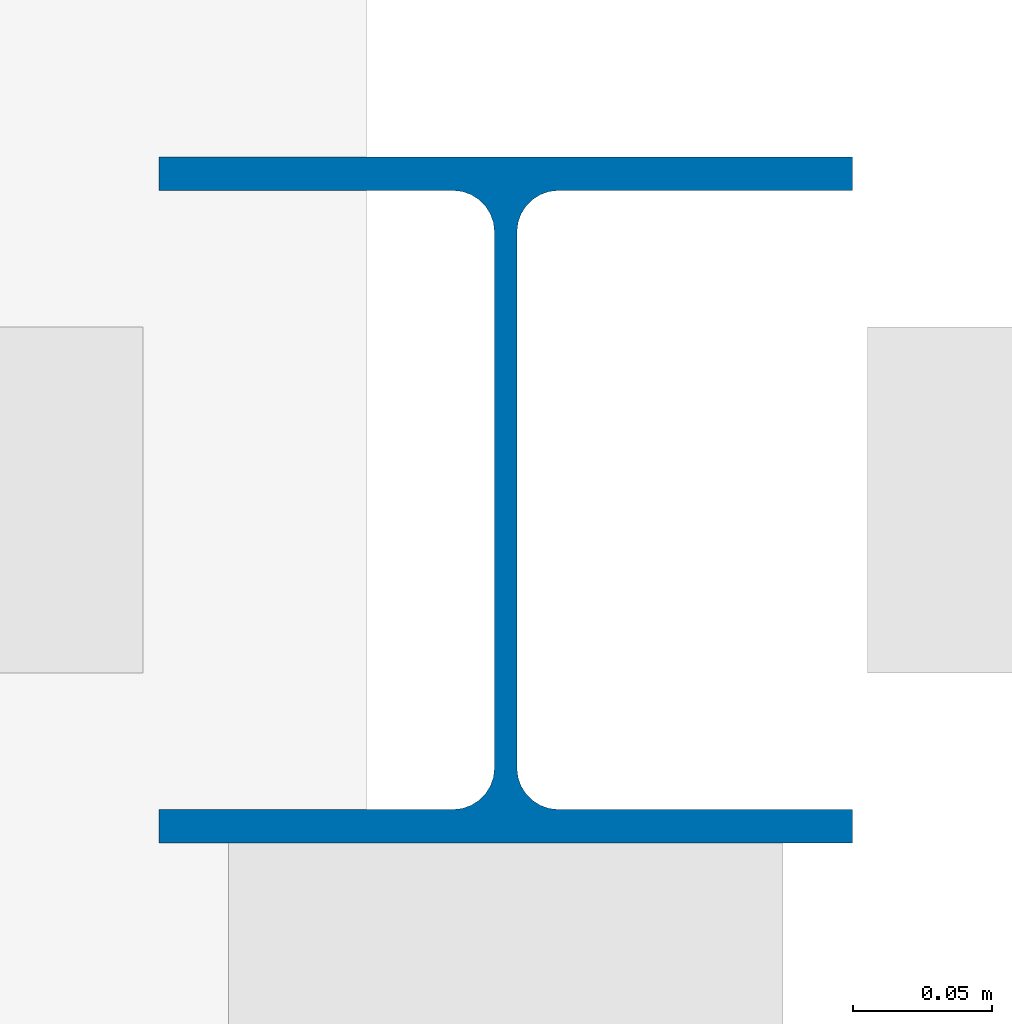
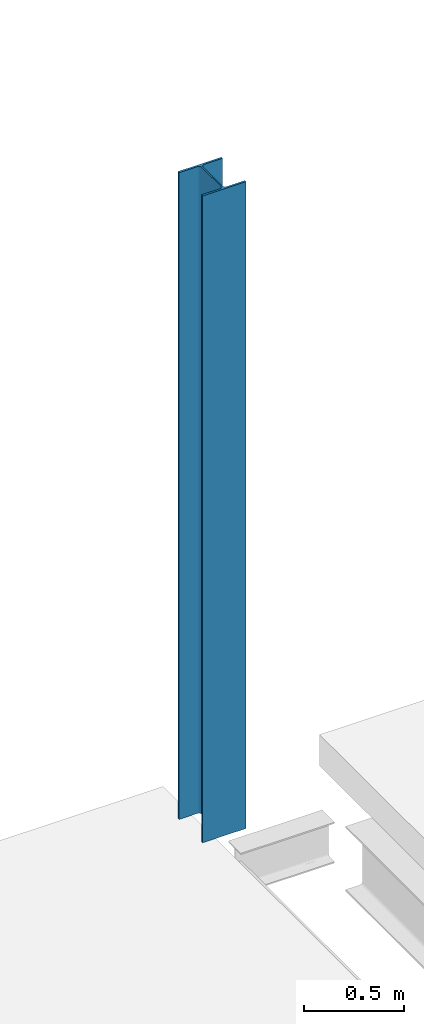
# One storey, part 5 of 57: 1 column.
"""IFC4 building model written with IfcOpenShell, lengths in metres."""

from ifc_helpers import new_model, si_unit, direction, frame, origin, origin_2d, place, context, subcontext, project, spatial, i_section, extrude, material, material_profile, profile_set, type_object, element, save


model = new_model("IFC4")

# Units and contexts
model_context = context("Model", 3, precision=1e-05, world=origin(), true_north=direction((0.0, 1.0)))
body_context = subcontext(model_context, "Body", "Model", "MODEL_VIEW")
ifc_project = project(units=[si_unit("LENGTHUNIT", "METRE"), si_unit("AREAUNIT", "SQUARE_METRE"), si_unit("VOLUMEUNIT", "CUBIC_METRE"), si_unit("PLANEANGLEUNIT", "RADIAN"), si_unit("MASSUNIT", "GRAM", prefix="KILO"), si_unit("THERMODYNAMICTEMPERATUREUNIT", "KELVIN"), si_unit("POWERUNIT", "WATT")], contexts=[model_context])

# Site, building, storey
site_placement = place(None, origin())
site = spatial("IfcSite", under=ifc_project, at=site_placement, CompositionType="ELEMENT")
building_placement = place(site_placement, origin())
building = spatial("IfcBuilding", under=site, at=building_placement, Name="Kronsvod Quay Wholesale Market", CompositionType="ELEMENT")
storey_placement = place(building_placement, frame((0.0, 0.0, 4.800048828125)))
storey = spatial("IfcBuildingStorey", under=building, at=storey_placement, Name="L01", CompositionType="ELEMENT", Elevation=4.800048828125)

# Column
ifc_material = material(Name="Steel S355", Category="steel")
ifc_material_profile = material_profile(ifc_material, i_section(OverallWidth=0.2490234375, OverallDepth=0.24609375, WebThickness=0.008056640625, FlangeThickness=0.011962890625, FilletRadius=0.014892578125, at=origin_2d()), Name="25K1")
ifc_profile_set = profile_set([ifc_material_profile], Name="Steel S355")
column_type = type_object("IfcColumnType", Name="Col_Steel25K1", PredefinedType="COLUMN", material=ifc_profile_set)
column_placement = place(storey_placement, frame((127.60009765625, 131.199951171875, 0.0), z_axis=(0.0, 0.0, 1.0), x_axis=(1.0, 0.0, 0.0)))
element("IfcColumn", 1, at=column_placement, inside=storey, type_object=column_type, Name="SCOL-CAN-L01-14", PredefinedType="COLUMN", context=body_context, shape_type="SweptSolid", body=[
    extrude(i_section(OverallWidth=0.2490234375, OverallDepth=0.24609375, WebThickness=0.008056640625, FlangeThickness=0.011962890625, FilletRadius=0.014892578125, at=origin_2d()), origin(), (0.0, 0.0, 1.0), 3.93505859375),
])

save(model, "model.ifc")
